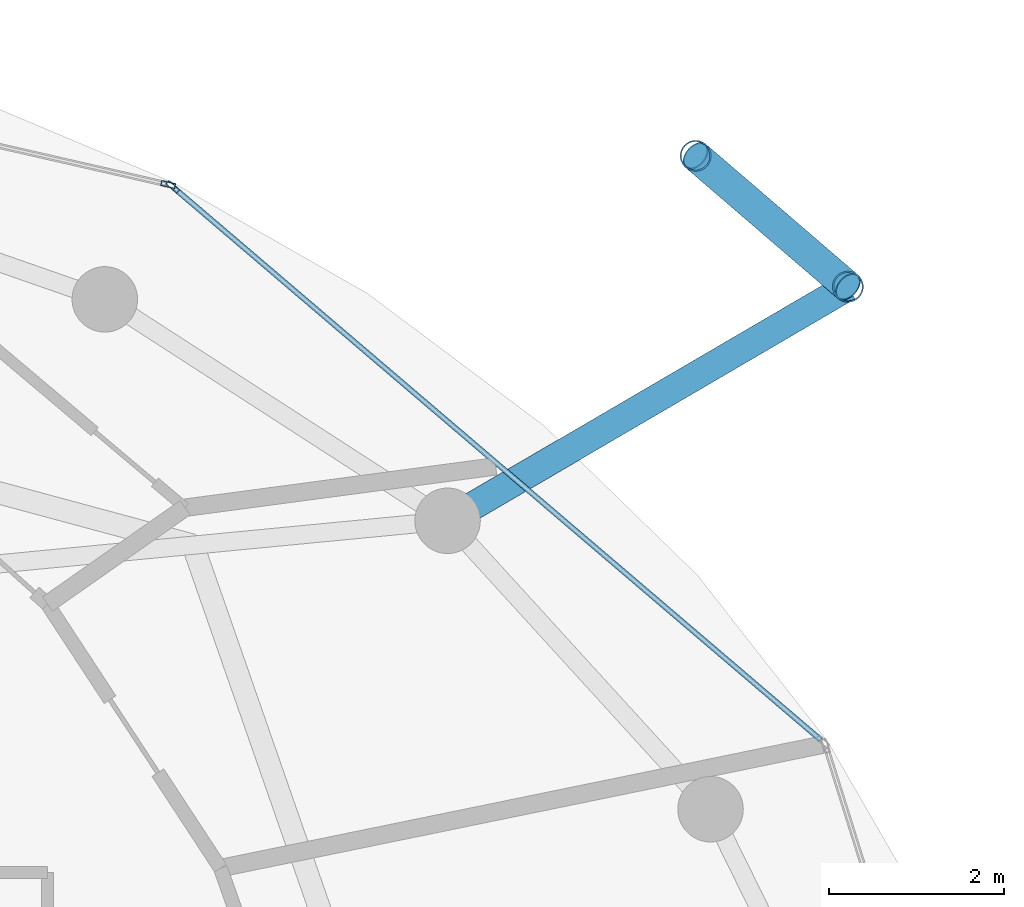
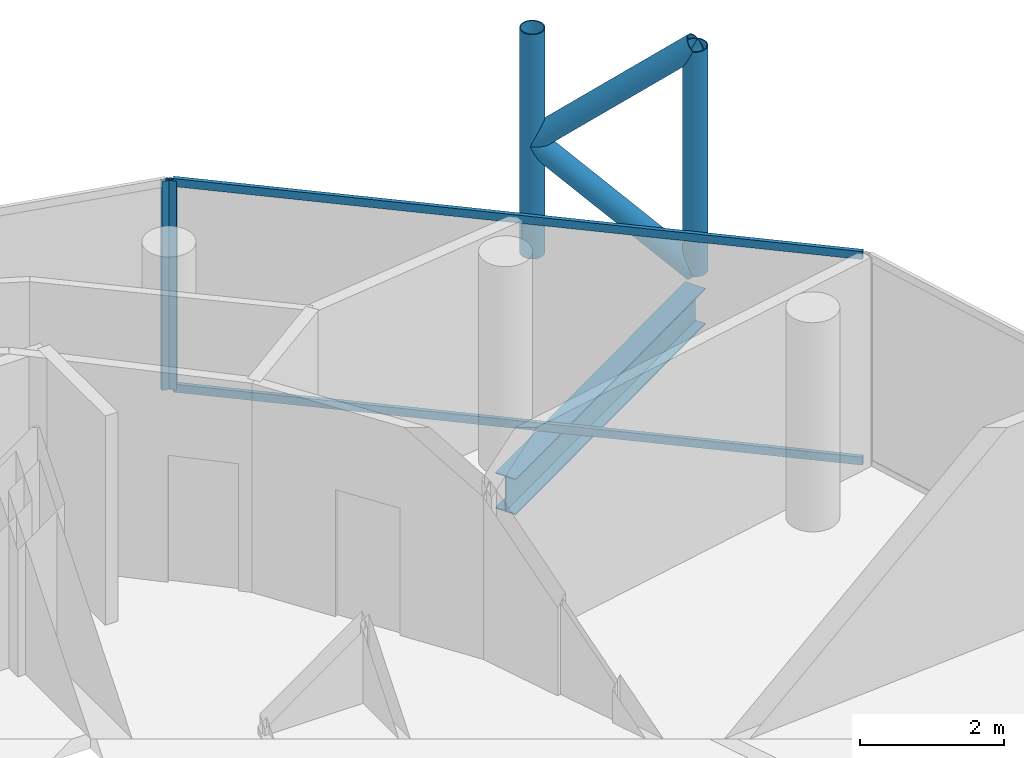
# One storey, part 18 of 24: 8 members, 1 beam, 2 elements without a shape of their own.
"""IFC4 building model written with IfcOpenShell, lengths in metres."""

import ifcopenshell
import ifcopenshell.guid

model = None  # the IFC model being written
_history = None  # IfcOwnerHistory: only IFC2X3 demands one
_inside = {}  # id of a spatial element -> (the spatial element, [elements in it])
_under = {}  # id of a project, library or spatial element -> (it, [spatial elements below it])
_declared = {}  # id of a project -> (the project, [libraries it declares])
_typed = {}  # id of a type object -> (the type object, [elements of that type])
_made_of = {}  # id of a material, layer set ... -> (it, [elements and type objects made of it])


def new_model(schema):
    """Start an empty IFC model of exactly this schema.

    Asked for "IFC4X3", IfcOpenShell would pick the latest addendum, in which some entities
    have other attributes; the version numbers below select the first issue.
    IFC2X3 requires an IfcOwnerHistory on every rooted entity: one is made here for all.
    """
    global model, _history
    if schema == "IFC4X3":
        model = ifcopenshell.file(schema_version=(4, 3, 0, 0))
    else:
        model = ifcopenshell.file(schema=schema)
    _inside.clear()
    _under.clear()
    _declared.clear()
    _typed.clear()
    _made_of.clear()
    _history = None
    if model.schema == "IFC2X3":
        org = make("IfcOrganization", Name="unknown")
        user = make(
            "IfcPersonAndOrganization",
            ThePerson=make("IfcPerson", FamilyName="unknown"),
            TheOrganization=org,
        )
        app = make(
            "IfcApplication",
            ApplicationDeveloper=org,
            Version="unknown",
            ApplicationFullName="unknown",
            ApplicationIdentifier="unknown",
        )
        _history = make(
            "IfcOwnerHistory",
            OwningUser=user,
            OwningApplication=app,
            ChangeAction="ADDED",
            CreationDate=0,
        )
    return model


def make(cls, **values):
    """One entity of the class cls with the attributes given. An attribute that is None is left unset."""
    return model.create_entity(
        cls, **{name: value for name, value in values.items() if value is not None}
    )


def rooted(cls, **values):
    """An entity with a GlobalId (a new one), such as an element, a storey or a relation."""
    return make(cls, GlobalId=ifcopenshell.guid.new(), OwnerHistory=_history, **values)


def si_unit(unit_type, name, prefix=None):
    """IfcSIUnit, for example si_unit("LENGTHUNIT", "METRE", prefix="MILLI")."""
    return make("IfcSIUnit", UnitType=unit_type, Prefix=prefix, Name=name)


def assignment(units):
    """IfcUnitAssignment: the units of a project."""
    return None if units is None else make("IfcUnitAssignment", Units=units)


def point(xyz):
    """IfcCartesianPoint."""
    return None if xyz is None else make("IfcCartesianPoint", Coordinates=xyz)


def direction(xyz):
    """IfcDirection."""
    return None if xyz is None else make("IfcDirection", DirectionRatios=xyz)


def frame(location, z_axis=None, x_axis=None):
    """IfcAxis2Placement3D, a coordinate frame: its origin and axes. An axis left out is left unset."""
    return make(
        "IfcAxis2Placement3D",
        Location=point(location),
        Axis=direction(z_axis),
        RefDirection=direction(x_axis),
    )


def frame_2d(location, x_axis=None):
    """IfcAxis2Placement2D, a coordinate frame in the plane: its origin and x axis."""
    return make(
        "IfcAxis2Placement2D", Location=point(location), RefDirection=direction(x_axis)
    )


def origin():
    """The frame at (0, 0, 0) with its axes left unset."""
    return frame((0.0, 0.0, 0.0))


def origin_2d():
    """The frame at (0, 0) in the plane with its x axis left unset."""
    return frame_2d((0.0, 0.0))


def place(relative_to, where):
    """IfcLocalPlacement: puts the frame where relative to a parent placement (None: the world)."""
    return make(
        "IfcLocalPlacement", PlacementRelTo=relative_to, RelativePlacement=where
    )


def context(
    kind, dimensions, precision=None, world=None, true_north=None, identifier=None
):
    """IfcGeometricRepresentationContext, for example the 3D "Model" context."""
    return make(
        "IfcGeometricRepresentationContext",
        ContextIdentifier=identifier,
        ContextType=kind,
        CoordinateSpaceDimension=dimensions,
        Precision=precision,
        WorldCoordinateSystem=world,
        TrueNorth=true_north,
    )


def subcontext(parent, identifier, kind, view, scale=None):
    """IfcGeometricRepresentationSubContext, for example "Body" below "Model"."""
    return make(
        "IfcGeometricRepresentationSubContext",
        ContextIdentifier=identifier,
        ContextType=kind,
        ParentContext=parent,
        TargetScale=scale,
        TargetView=view,
    )


def project(units=None, contexts=None):
    """IfcProject with its units and contexts."""
    return rooted(
        "IfcProject",
        Name="project",
        RepresentationContexts=contexts,
        UnitsInContext=assignment(units),
    )


def spatial(cls, under=None, at=None, **own):
    """A site, building, storey or space (cls), placed at a placement, below another one or the project."""
    s = rooted(cls, ObjectPlacement=at, **own)
    if under is not None:
        _under.setdefault(under.id(), (under, []))[1].append(s)
    return s


def profile(cls, at=None, kind="AREA", **sizes):
    """A parametric profile (cls). Its sizes go by their IFC names, for example OverallWidth=200.0."""
    return make(cls, ProfileType=kind, Position=at, **sizes)


def hollow_rectangle(**sizes):
    """IfcRectangleHollowProfileDef."""
    return profile("IfcRectangleHollowProfileDef", **sizes)


def hollow_circle(**sizes):
    """IfcCircleHollowProfileDef."""
    return profile("IfcCircleHollowProfileDef", **sizes)


def i_section(**sizes):
    """IfcIShapeProfileDef."""
    return profile("IfcIShapeProfileDef", **sizes)


def extrude(swept, where, along, depth):
    """IfcExtrudedAreaSolid: the profile swept, set in the frame where, extruded along a direction by depth."""
    return make(
        "IfcExtrudedAreaSolid",
        SweptArea=swept,
        Position=where,
        ExtrudedDirection=direction(along),
        Depth=depth,
    )


def shape(context_of_items, identifier, shape_type, items):
    """IfcShapeRepresentation: the items that make up one representation, for example the "Body"."""
    return make(
        "IfcShapeRepresentation",
        ContextOfItems=context_of_items,
        RepresentationIdentifier=identifier,
        RepresentationType=shape_type,
        Items=items,
    )


def material(Name=None, Category=None):
    """IfcMaterial."""
    return make("IfcMaterial", Name=Name, Category=Category)


def layer(
    of_material, thickness, ventilated=None, Name=None, Category=None, Priority=None
):
    """IfcMaterialLayer: one layer of a wall or slab, of a material (None: an air gap)."""
    return make(
        "IfcMaterialLayer",
        Material=of_material,
        LayerThickness=thickness,
        IsVentilated=ventilated,
        Name=Name,
        Category=Category,
        Priority=Priority,
    )


def layer_set(layers, Name=None):
    """IfcMaterialLayerSet."""
    return make("IfcMaterialLayerSet", MaterialLayers=layers, LayerSetName=Name)


def material_profile(
    of_material, cross_section, Name=None, Category=None, Priority=None
):
    """IfcMaterialProfile: a cross section and its material."""
    return make(
        "IfcMaterialProfile",
        Name=Name,
        Material=of_material,
        Profile=cross_section,
        Priority=Priority,
        Category=Category,
    )


def profile_set(profiles, Name=None, composite=None):
    """IfcMaterialProfileSet."""
    return make(
        "IfcMaterialProfileSet",
        Name=Name,
        MaterialProfiles=profiles,
        CompositeProfile=composite,
    )


def made_of(thing, what):
    """Note that an element or type object is made of a material, layer set ...; save() writes the relation."""
    if what is not None:
        _made_of.setdefault(what.id(), (what, []))[1].append(thing)
    return thing


def type_object(cls, material=None, **own):
    """A type object (cls), such as IfcWallType, which elements share."""
    return made_of(rooted(cls, **own), material)


def element(
    cls,
    number,
    at=None,
    inside=None,
    cuts=None,
    type_object=None,
    material=None,
    context=None,
    identifier="Body",
    shape_type=None,
    held_by="IfcProductDefinitionShape",
    body=None,
    shapes=None,
    **own,
):
    """One element of the class cls, such as IfcWall. Its Tag is "e" and its number.

    at: its placement. inside: the storey or other place that contains it. cuts: it is an
    opening in that element (IfcRelVoidsElement). A single representation is given by context,
    identifier, shape_type and body (its items); several are given by shapes. held_by: the class
    of the entity that holds the representations. save() writes the other relations.
    """
    e = rooted(cls, Tag="e%d" % number, ObjectPlacement=at, **own)
    if body is not None:
        shapes = [shape(context, identifier, shape_type, body)]
    if shapes is not None:
        e.Representation = make(held_by, Representations=shapes)
    if inside is not None:
        _inside.setdefault(inside.id(), (inside, []))[1].append(e)
    if cuts is not None:
        rooted(
            "IfcRelVoidsElement", RelatingBuildingElement=cuts, RelatedOpeningElement=e
        )
    if type_object is not None:
        _typed.setdefault(type_object.id(), (type_object, []))[1].append(e)
    return made_of(e, material)


def aggregate(whole, parts):
    """IfcRelAggregates: a whole, such as a stair, and the parts it consists of."""
    return rooted("IfcRelAggregates", RelatingObject=whole, RelatedObjects=parts)


def save(model, path):
    """Write the relations noted so far, then the file.

    IfcRelAggregates (storeys below a building ...), IfcRelContainedInSpatialStructure (elements
    in a storey), IfcRelDefinesByType, IfcRelAssociatesMaterial and IfcRelDeclares: one each for
    every whole, place, type object, material and project.
    """
    for whole, parts in _under.values():
        aggregate(whole, parts)
    for where, things in _inside.values():
        rooted(
            "IfcRelContainedInSpatialStructure",
            RelatedElements=things,
            RelatingStructure=where,
        )
    for kind, things in _typed.values():
        rooted("IfcRelDefinesByType", RelatedObjects=things, RelatingType=kind)
    for what, things in _made_of.values():
        rooted("IfcRelAssociatesMaterial", RelatedObjects=things, RelatingMaterial=what)
    for by, libraries in _declared.values():
        rooted("IfcRelDeclares", RelatingContext=by, RelatedDefinitions=libraries)
    model.write(path)


model = new_model("IFC4")

# Units and contexts
model_context = context("Model", 3, precision=1e-05, world=origin(), true_north=direction((0.0, 1.0)))
body_context = subcontext(model_context, "Body", "Model", "MODEL_VIEW")
ifc_project = project(units=[si_unit("LENGTHUNIT", "METRE"), si_unit("AREAUNIT", "SQUARE_METRE"), si_unit("VOLUMEUNIT", "CUBIC_METRE"), si_unit("PLANEANGLEUNIT", "RADIAN"), si_unit("MASSUNIT", "GRAM", prefix="KILO")], contexts=[model_context])

# Site, building, storey
site_placement = place(None, origin())
site = spatial("IfcSite", under=ifc_project, at=site_placement, CompositionType="ELEMENT")
building_placement = place(site_placement, origin())
building = spatial("IfcBuilding", under=site, at=building_placement, Name="Nuhasar Tower", CompositionType="ELEMENT")
storey_placement = place(building_placement, frame((0.0, 0.0, 263.199951171875)))
storey = spatial("IfcBuildingStorey", under=building, at=storey_placement, Name="L65", CompositionType="ELEMENT", Elevation=263.199951171875)

# Beam
ifc_material_1 = material(Name="Steel S355", Category="steel")
ifc_material_profile_1 = material_profile(ifc_material_1, i_section(OverallWidth=0.323974609375, OverallDepth=0.611083984375, WebThickness=0.0126953125, FlangeThickness=0.01904296875, at=origin_2d()), Name="W24X104")
ifc_profile_set_1 = profile_set([ifc_material_profile_1], Name="Steel S355")
beam_type = type_object("IfcBeamType", Name="BM-TIE-W24X104", PredefinedType="BEAM", material=ifc_profile_set_1)
beam_placement = place(storey_placement, frame((52.39990234375, 38.077880859375, -0.56494140625), z_axis=(0.863271521286, 0.504739814693, 0.0), x_axis=(-0.504739814693, 0.863271521286, 0.0)))
element("IfcBeam", 1, at=beam_placement, inside=storey, type_object=beam_type, Name="L65 Exoskeleton Node Tie Beam 02", PredefinedType="BEAM", context=body_context, shape_type="SweptSolid", body=[
    extrude(i_section(OverallWidth=0.323974609375, OverallDepth=0.611083984375, WebThickness=0.0126953125, FlangeThickness=0.01904296875, at=origin_2d()), origin(), (0.0, 0.0, 1.0), 5.31005859375),
])

# Curtain wall, member
ifc_material_2 = material(Name="Aluminium 6063-T6", Category="aluminium")
ifc_layer = layer(ifc_material_2, 0.18994140625)
ifc_layer_set = layer_set([ifc_layer], Name="Aluminium 6063-T6")
curtain_wall_type = type_object("IfcCurtainWallType", Name="CW-Z4-PEN", PredefinedType="NOTDEFINED", material=ifc_layer_set)
curtain_wall_1_placement = place(storey_placement, origin())
curtain_wall_1 = element("IfcCurtainWall", 2, at=curtain_wall_1_placement, inside=storey, type_object=curtain_wall_type, Name="L65 Unitised Curtain Wall 02", PredefinedType="NOTDEFINED")
ifc_material_profile_2 = material_profile(ifc_material_2, hollow_rectangle(XDim=0.06005859375, YDim=0.1650390625, WallThickness=0.0048828125, at=origin_2d()), Name="CWM-5")
ifc_profile_set_2 = profile_set([ifc_material_profile_2], Name="Aluminium 6063-T6")
member_type_1 = type_object("IfcMemberType", Name="CW-MUL-S5", PredefinedType="MULLION", material=ifc_profile_set_2)
member_1_placement = place(storey_placement, frame((49.2529296875, 41.901611328125, 0.0), z_axis=(0.0, 0.0, 1.0), x_axis=(-0.649141996205, -0.760667252327, 0.0)))
member_1 = element("IfcMember", 3, at=member_1_placement, type_object=member_type_1, Name="CW-Z4 mullion 2", PredefinedType="MULLION", context=body_context, shape_type="SweptSolid", body=[
    extrude(hollow_rectangle(XDim=0.06005859375, YDim=0.1650390625, WallThickness=0.0048828125, at=origin_2d()), origin(), (0.0, 0.0, 1.0), 3.5400390625),
])

curtain_wall_2_placement = place(storey_placement, origin())
curtain_wall_2 = element("IfcCurtainWall", 4, at=curtain_wall_2_placement, inside=storey, type_object=curtain_wall_type, Name="L65 Unitised Curtain Wall 03", PredefinedType="NOTDEFINED")
member_2_placement = place(storey_placement, frame((49.20068359375, 41.927734375, 0.0), z_axis=(0.0, 0.0, 1.0), x_axis=(-0.222889487645, -0.97484371891, 0.0)))
member_2 = element("IfcMember", 5, at=member_2_placement, type_object=member_type_1, Name="CW-Z4 mullion 1", PredefinedType="MULLION", context=body_context, shape_type="SweptSolid", body=[
    extrude(hollow_rectangle(XDim=0.06005859375, YDim=0.1650390625, WallThickness=0.0048828125, at=origin_2d()), origin(), (0.0, 0.0, 1.0), 3.5400390625),
])
aggregate(curtain_wall_2, [member_2])

# Member
ifc_material_profile_3 = material_profile(ifc_material_2, hollow_rectangle(XDim=0.06005859375, YDim=0.135009765625, WallThickness=0.00439453125, at=origin_2d()), Name="CWT-5")
ifc_profile_set_3 = profile_set([ifc_material_profile_3], Name="Aluminium 6063-T6")
member_type_2 = type_object("IfcMemberType", Name="CW-TRN-S5", PredefinedType="USERDEFINED", material=ifc_profile_set_3)
member_3_placement = place(storey_placement, frame((56.67333984375, 35.56884765625, 0.030029296875), z_axis=(-0.760660035709, 0.649150452573, 0.0), x_axis=(-0.649150452573, -0.760660035709, 0.0)))
member_3 = element("IfcMember", 6, at=member_3_placement, type_object=member_type_2, Name="CW-Z4 transom 1.1", ObjectType="TRANSOM", PredefinedType="USERDEFINED", context=body_context, shape_type="SweptSolid", body=[
    extrude(hollow_rectangle(XDim=0.06005859375, YDim=0.135009765625, WallThickness=0.00439453125, at=origin_2d()), origin(), (0.0, 0.0, 1.0), 9.725341796875),
])

member_4_placement = place(storey_placement, frame((56.67333984375, 35.56884765625, 3.510009765625), z_axis=(-0.760660035709, 0.649150452573, 0.0), x_axis=(-0.649150452573, -0.760660035709, 0.0)))
member_4 = element("IfcMember", 7, at=member_4_placement, type_object=member_type_2, Name="CW-Z4 transom 1.2", ObjectType="TRANSOM", PredefinedType="USERDEFINED", context=body_context, shape_type="SweptSolid", body=[
    extrude(hollow_rectangle(XDim=0.06005859375, YDim=0.135009765625, WallThickness=0.00439453125, at=origin_2d()), origin(), (0.0, 0.0, 1.0), 9.725341796875),
])

aggregate(curtain_wall_1, [member_1, member_3, member_4])

# Members
ifc_material_3 = material(Name="Steel S460", Category="steel")
ifc_material_profile_4 = material_profile(ifc_material_3, hollow_circle(Radius=0.177734375, WallThickness=0.015869140625, at=origin_2d()), Name="HSS355.6X15.9")
ifc_profile_set_4 = profile_set([ifc_material_profile_4], Name="Steel S460")
member_type_3 = type_object("IfcMemberType", Name="EXO-BRONZE-356", PredefinedType="BRACE", material=ifc_profile_set_4)
for number, where, z_axis, x_axis, name in (
    (8, (56.98388671875, 40.758056640625, 0.0), (0.0, 0.0, 1.0), (1.0, 0.0, 0.0), "L65 Exoskeleton Chord Column EC-02A"),
    (9, (55.239990234375, 42.257080078125, 0.0), (0.0, 0.0, 1.0), (1.0, 0.0, 0.0), "L65 Exoskeleton Chord Column EC-02B"),
):
    element("IfcMember", number, at=place(storey_placement, frame(where, z_axis=z_axis, x_axis=x_axis)), inside=storey, type_object=member_type_3, Name=name, PredefinedType="BRACE", context=body_context, shape_type="SweptSolid", body=[
        extrude(hollow_circle(Radius=0.177734375, WallThickness=0.015869140625, at=origin_2d()), origin(), (0.0, 0.0, 1.0), 3.800048828125),
    ])
member_5_placement = place(storey_placement, frame((56.98388671875, 40.758056640625, 0.0), z_axis=(-0.584594747408, 0.50250759472, 0.636973389203), x_axis=(-0.65185738425, -0.758341579104, 0.0)))
element("IfcMember", 10, at=member_5_placement, inside=storey, type_object=member_type_3, Name="L65 Bronze Diagrid Brace W1-02", PredefinedType="BRACE", context=body_context, shape_type="SweptSolid", body=[
    extrude(hollow_circle(Radius=0.177734375, WallThickness=0.015869140625, at=origin_2d()), origin(), (0.0, 0.0, 1.0), 2.983154296875),
])
member_6_placement = place(storey_placement, frame((55.239990234375, 42.257080078125, 1.900146484375), z_axis=(0.584625223306, -0.502533791278, 0.636924749792), x_axis=(0.65185738425, 0.758341579104, 0.0)))
element("IfcMember", 11, at=member_6_placement, inside=storey, type_object=member_type_3, Name="L65 Bronze Diagrid Brace W2-02", PredefinedType="BRACE", context=body_context, shape_type="SweptSolid", body=[
    extrude(hollow_circle(Radius=0.177734375, WallThickness=0.015869140625, at=origin_2d()), origin(), (0.0, 0.0, 1.0), 2.98291015625),
])

save(model, "model.ifc")
